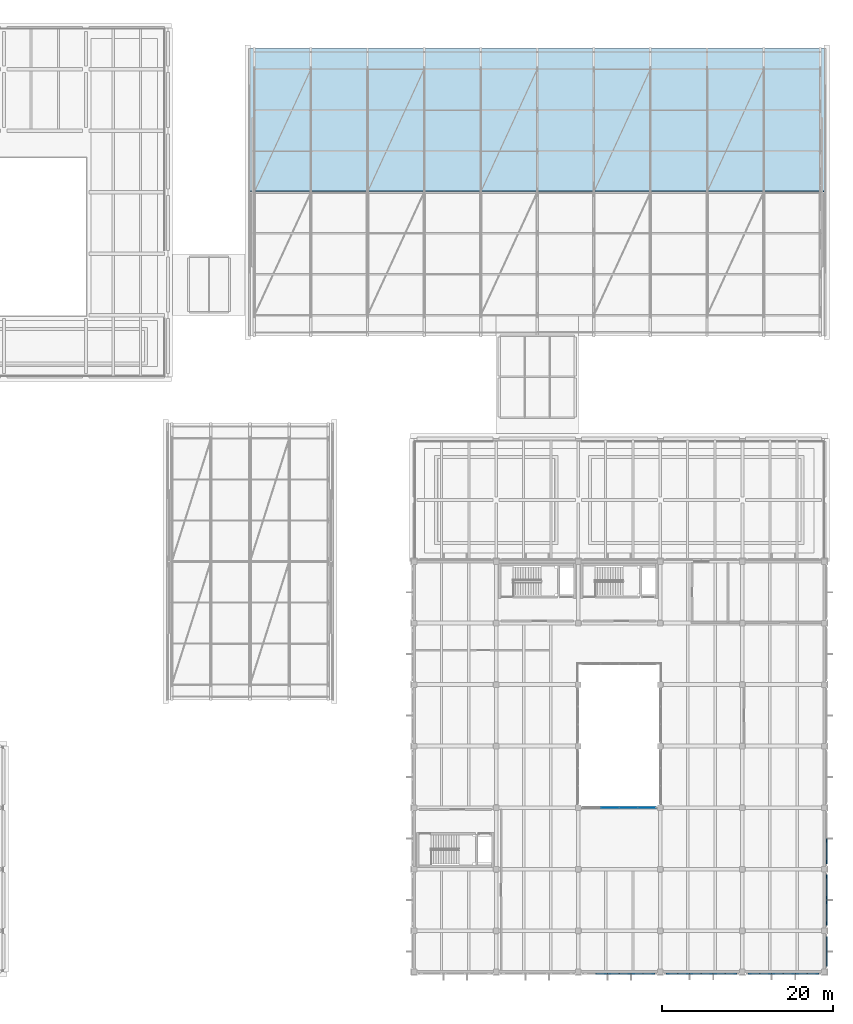
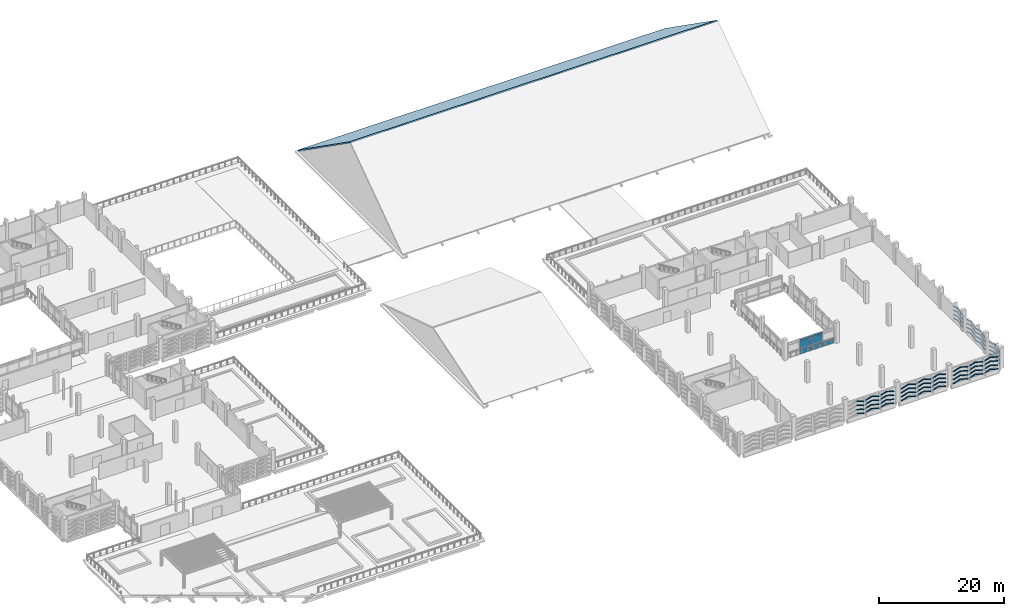
# One storey, part 104 of 134: 107 plates, 1 slab, 1 element without a shape of its own.
"""IFC4 building model written with IfcOpenShell, lengths in metres."""

from ifc_helpers import new_model, si_unit, direction, frame, origin, origin_2d, place, context, subcontext, project, spatial, polyline, rectangle, hollow_rectangle, outline, extrude, material, layer, layer_set, material_profile, profile_set, type_object, element, aggregate, save


model = new_model("IFC4")

# Units and contexts
model_context = context("Model", 3, precision=1e-05, world=origin(), true_north=direction((0.0, 1.0)))
body_context = subcontext(model_context, "Body", "Model", "MODEL_VIEW")
ifc_project = project(units=[si_unit("LENGTHUNIT", "METRE"), si_unit("AREAUNIT", "SQUARE_METRE"), si_unit("VOLUMEUNIT", "CUBIC_METRE"), si_unit("PLANEANGLEUNIT", "RADIAN"), si_unit("MASSUNIT", "GRAM", prefix="KILO")], contexts=[model_context])

# Site, building, storey
site_placement = place(None, origin())
site = spatial("IfcSite", under=ifc_project, at=site_placement, CompositionType="ELEMENT")
building_placement = place(site_placement, origin())
building = spatial("IfcBuilding", under=site, at=building_placement, Name="Asteropetra Specialist Clinic", CompositionType="ELEMENT")
storey_placement = place(building_placement, frame((0.0, 0.0, 8.5)))
storey = spatial("IfcBuildingStorey", under=building, at=storey_placement, Name="L02", CompositionType="ELEMENT", Elevation=8.5)

# Plates
ifc_material_1 = material(Name="Chevron emerald aluminium 6063-T6", Category="aluminium")
ifc_material_profile = material_profile(ifc_material_1, hollow_rectangle(XDim=0.179931640625, YDim=0.179931640625, WallThickness=0.010009765625, InnerFilletRadius=0.008056640625, OuterFilletRadius=0.01611328125, at=origin_2d()), Name="SHS 180x180x10.0")
ifc_profile_set = profile_set([ifc_material_profile], Name="Chevron emerald aluminium 6063-T6")
plate_type_1 = type_object("IfcPlateType", Name="CHV-RIB-180", PredefinedType="SHEET", material=ifc_profile_set)
for number, where, z_axis, x_axis, name in (
    (1, (126.830078125, -0.239501953125, 0.48681640625), (0.952430080856, 0.0, -0.304757183805), (0.0, 1.0, 0.0), "Chevron Facade Screen Fin CVR-2561"),
    (2, (126.830078125, -0.239501953125, 1.256591796875), (0.952479516829, 0.0, -0.304602642835), (0.0, 1.0, 0.0), "Chevron Facade Screen Fin CVR-2563"),
    (3, (126.830078125, -0.239501953125, 2.056640625), (0.952479516829, 0.0, -0.304602642835), (0.0, 1.0, 0.0), "Chevron Facade Screen Fin CVR-2565"),
    (4, (126.830078125, -0.239501953125, 2.836669921875), (0.952430080856, 0.0, -0.304757183805), (0.0, 1.0, 0.0), "Chevron Facade Screen Fin CVR-2567"),
    (5, (128.235107421875, -0.239501953125, 0.050048828125), (0.952430080856, 0.0, 0.304757183805), (0.0, 1.0, 0.0), "Chevron Facade Screen Fin CVR-2568"),
    (6, (129.60009765625, -0.239501953125, 0.48681640625), (0.952430080856, 0.0, -0.304757183805), (0.0, 1.0, 0.0), "Chevron Facade Screen Fin CVR-2569"),
    (7, (128.235107421875, -0.239501953125, 0.820068359375), (0.952479516829, 0.0, 0.304602642835), (0.0, 1.0, 0.0), "Chevron Facade Screen Fin CVR-2570"),
    (8, (129.60009765625, -0.239501953125, 1.256591796875), (0.952479516829, 0.0, -0.304602642835), (0.0, 1.0, 0.0), "Chevron Facade Screen Fin CVR-2571"),
    (9, (128.235107421875, -0.239501953125, 1.6201171875), (0.952479516829, 0.0, 0.304602642835), (0.0, 1.0, 0.0), "Chevron Facade Screen Fin CVR-2572"),
    (10, (129.60009765625, -0.239501953125, 2.056640625), (0.952479516829, 0.0, -0.304602642835), (0.0, 1.0, 0.0), "Chevron Facade Screen Fin CVR-2573"),
    (11, (128.235107421875, -0.239501953125, 2.39990234375), (0.952430080856, 0.0, 0.304757183805), (0.0, 1.0, 0.0), "Chevron Facade Screen Fin CVR-2574"),
    (12, (129.60009765625, -0.239501953125, 2.836669921875), (0.952430080856, 0.0, -0.304757183805), (0.0, 1.0, 0.0), "Chevron Facade Screen Fin CVR-2575"),
):
    element("IfcPlate", number, at=place(storey_placement, frame(where, z_axis=z_axis, x_axis=x_axis)), inside=storey, type_object=plate_type_1, Name=name, PredefinedType="SHEET", context=body_context, shape_type="SweptSolid", body=[
        extrude(hollow_rectangle(XDim=0.179931640625, YDim=0.179931640625, WallThickness=0.010009765625, InnerFilletRadius=0.008056640625, OuterFilletRadius=0.01611328125, at=origin_2d()), origin(), (0.0, 0.0, 1.0), 1.43310546875),
    ])
plate_1_placement = place(storey_placement, frame((131.0048828125, -0.239501953125, 0.050048828125), z_axis=(0.952445898647, 0.0, 0.304707745472), x_axis=(0.0, 1.0, 0.0)))
element("IfcPlate", 13, at=plate_1_placement, inside=storey, type_object=plate_type_1, Name="Chevron Facade Screen Fin CVR-2576", PredefinedType="SHEET", context=body_context, shape_type="SweptSolid", body=[
    extrude(hollow_rectangle(XDim=0.179931640625, YDim=0.179931640625, WallThickness=0.010009765625, InnerFilletRadius=0.008056640625, OuterFilletRadius=0.01611328125, at=origin_2d()), origin(), (0.0, 0.0, 1.0), 1.433349609375),
])
plate_2_placement = place(storey_placement, frame((132.3701171875, -0.239501953125, 0.48681640625), z_axis=(0.952430080856, 0.0, -0.304757183805), x_axis=(0.0, 1.0, 0.0)))
element("IfcPlate", 14, at=plate_2_placement, inside=storey, type_object=plate_type_1, Name="Chevron Facade Screen Fin CVR-2577", PredefinedType="SHEET", context=body_context, shape_type="SweptSolid", body=[
    extrude(hollow_rectangle(XDim=0.179931640625, YDim=0.179931640625, WallThickness=0.010009765625, InnerFilletRadius=0.008056640625, OuterFilletRadius=0.01611328125, at=origin_2d()), origin(), (0.0, 0.0, 1.0), 1.43310546875),
])
plate_3_placement = place(storey_placement, frame((131.0048828125, -0.239501953125, 0.820068359375), z_axis=(0.952495319401, 0.0, 0.304553224444), x_axis=(0.0, 1.0, 0.0)))
element("IfcPlate", 15, at=plate_3_placement, inside=storey, type_object=plate_type_1, Name="Chevron Facade Screen Fin CVR-2578", PredefinedType="SHEET", context=body_context, shape_type="SweptSolid", body=[
    extrude(hollow_rectangle(XDim=0.179931640625, YDim=0.179931640625, WallThickness=0.010009765625, InnerFilletRadius=0.008056640625, OuterFilletRadius=0.01611328125, at=origin_2d()), origin(), (0.0, 0.0, 1.0), 1.433349609375),
])
plate_4_placement = place(storey_placement, frame((132.3701171875, -0.239501953125, 1.256591796875), z_axis=(0.952479516829, 0.0, -0.304602642835), x_axis=(0.0, 1.0, 0.0)))
element("IfcPlate", 16, at=plate_4_placement, inside=storey, type_object=plate_type_1, Name="Chevron Facade Screen Fin CVR-2579", PredefinedType="SHEET", context=body_context, shape_type="SweptSolid", body=[
    extrude(hollow_rectangle(XDim=0.179931640625, YDim=0.179931640625, WallThickness=0.010009765625, InnerFilletRadius=0.008056640625, OuterFilletRadius=0.01611328125, at=origin_2d()), origin(), (0.0, 0.0, 1.0), 1.43310546875),
])
plate_5_placement = place(storey_placement, frame((131.0048828125, -0.239501953125, 1.6201171875), z_axis=(0.952495319401, 0.0, 0.304553224444), x_axis=(0.0, 1.0, 0.0)))
element("IfcPlate", 17, at=plate_5_placement, inside=storey, type_object=plate_type_1, Name="Chevron Facade Screen Fin CVR-2580", PredefinedType="SHEET", context=body_context, shape_type="SweptSolid", body=[
    extrude(hollow_rectangle(XDim=0.179931640625, YDim=0.179931640625, WallThickness=0.010009765625, InnerFilletRadius=0.008056640625, OuterFilletRadius=0.01611328125, at=origin_2d()), origin(), (0.0, 0.0, 1.0), 1.433349609375),
])
plate_6_placement = place(storey_placement, frame((132.3701171875, -0.239501953125, 2.056640625), z_axis=(0.952479516829, 0.0, -0.304602642835), x_axis=(0.0, 1.0, 0.0)))
element("IfcPlate", 18, at=plate_6_placement, inside=storey, type_object=plate_type_1, Name="Chevron Facade Screen Fin CVR-2581", PredefinedType="SHEET", context=body_context, shape_type="SweptSolid", body=[
    extrude(hollow_rectangle(XDim=0.179931640625, YDim=0.179931640625, WallThickness=0.010009765625, InnerFilletRadius=0.008056640625, OuterFilletRadius=0.01611328125, at=origin_2d()), origin(), (0.0, 0.0, 1.0), 1.43310546875),
])
plate_7_placement = place(storey_placement, frame((131.0048828125, -0.239501953125, 2.39990234375), z_axis=(0.952445898647, 0.0, 0.304707745472), x_axis=(0.0, 1.0, 0.0)))
element("IfcPlate", 19, at=plate_7_placement, inside=storey, type_object=plate_type_1, Name="Chevron Facade Screen Fin CVR-2582", PredefinedType="SHEET", context=body_context, shape_type="SweptSolid", body=[
    extrude(hollow_rectangle(XDim=0.179931640625, YDim=0.179931640625, WallThickness=0.010009765625, InnerFilletRadius=0.008056640625, OuterFilletRadius=0.01611328125, at=origin_2d()), origin(), (0.0, 0.0, 1.0), 1.433349609375),
])
for number, where, z_axis, x_axis, name in (
    (20, (132.3701171875, -0.239501953125, 2.836669921875), (0.952430080856, 0.0, -0.304757183805), (0.0, 1.0, 0.0), "Chevron Facade Screen Fin CVR-2583"),
    (21, (135.06494140625, -0.239501953125, 0.050048828125), (0.952430080856, 0.0, 0.304757183805), (0.0, 1.0, 0.0), "Chevron Facade Screen Fin CVR-2608"),
    (22, (136.429931640625, -0.239501953125, 0.48681640625), (0.952430080856, 0.0, -0.304757183805), (0.0, 1.0, 0.0), "Chevron Facade Screen Fin CVR-2609"),
    (23, (135.06494140625, -0.239501953125, 0.820068359375), (0.952479516829, 0.0, 0.304602642835), (0.0, 1.0, 0.0), "Chevron Facade Screen Fin CVR-2610"),
    (24, (136.429931640625, -0.239501953125, 1.256591796875), (0.952479516829, 0.0, -0.304602642835), (0.0, 1.0, 0.0), "Chevron Facade Screen Fin CVR-2611"),
    (25, (135.06494140625, -0.239501953125, 1.6201171875), (0.952479516829, 0.0, 0.304602642835), (0.0, 1.0, 0.0), "Chevron Facade Screen Fin CVR-2612"),
    (26, (136.429931640625, -0.239501953125, 2.056640625), (0.952479516829, 0.0, -0.304602642835), (0.0, 1.0, 0.0), "Chevron Facade Screen Fin CVR-2613"),
    (27, (135.06494140625, -0.239501953125, 2.39990234375), (0.952430080856, 0.0, 0.304757183805), (0.0, 1.0, 0.0), "Chevron Facade Screen Fin CVR-2614"),
    (28, (136.429931640625, -0.239501953125, 2.836669921875), (0.952430080856, 0.0, -0.304757183805), (0.0, 1.0, 0.0), "Chevron Facade Screen Fin CVR-2615"),
    (29, (137.8349609375, -0.239501953125, 0.050048828125), (0.952430080856, 0.0, 0.304757183805), (0.0, 1.0, 0.0), "Chevron Facade Screen Fin CVR-2616"),
    (30, (139.199951171875, -0.239501953125, 0.48681640625), (0.952430080856, 0.0, -0.304757183805), (0.0, 1.0, 0.0), "Chevron Facade Screen Fin CVR-2617"),
    (31, (137.8349609375, -0.239501953125, 0.820068359375), (0.952479516829, 0.0, 0.304602642835), (0.0, 1.0, 0.0), "Chevron Facade Screen Fin CVR-2618"),
    (32, (139.199951171875, -0.239501953125, 1.256591796875), (0.952479516829, 0.0, -0.304602642835), (0.0, 1.0, 0.0), "Chevron Facade Screen Fin CVR-2619"),
    (33, (137.8349609375, -0.239501953125, 1.6201171875), (0.952479516829, 0.0, 0.304602642835), (0.0, 1.0, 0.0), "Chevron Facade Screen Fin CVR-2620"),
    (34, (139.199951171875, -0.239501953125, 2.056640625), (0.952479516829, 0.0, -0.304602642835), (0.0, 1.0, 0.0), "Chevron Facade Screen Fin CVR-2621"),
    (35, (137.8349609375, -0.239501953125, 2.39990234375), (0.952430080856, 0.0, 0.304757183805), (0.0, 1.0, 0.0), "Chevron Facade Screen Fin CVR-2622"),
    (36, (139.199951171875, -0.239501953125, 2.836669921875), (0.952430080856, 0.0, -0.304757183805), (0.0, 1.0, 0.0), "Chevron Facade Screen Fin CVR-2623"),
    (37, (140.60498046875, -0.239501953125, 0.050048828125), (0.952430080856, 0.0, 0.304757183805), (0.0, 1.0, 0.0), "Chevron Facade Screen Fin CVR-2624"),
    (38, (141.969970703125, -0.239501953125, 0.48681640625), (0.952430080856, 0.0, -0.304757183805), (0.0, 1.0, 0.0), "Chevron Facade Screen Fin CVR-2625"),
    (39, (140.60498046875, -0.239501953125, 0.820068359375), (0.952479516829, 0.0, 0.304602642835), (0.0, 1.0, 0.0), "Chevron Facade Screen Fin CVR-2626"),
    (40, (141.969970703125, -0.239501953125, 1.256591796875), (0.952479516829, 0.0, -0.304602642835), (0.0, 1.0, 0.0), "Chevron Facade Screen Fin CVR-2627"),
    (41, (140.60498046875, -0.239501953125, 1.6201171875), (0.952479516829, 0.0, 0.304602642835), (0.0, 1.0, 0.0), "Chevron Facade Screen Fin CVR-2628"),
    (42, (141.969970703125, -0.239501953125, 2.056640625), (0.952479516829, 0.0, -0.304602642835), (0.0, 1.0, 0.0), "Chevron Facade Screen Fin CVR-2629"),
    (43, (140.60498046875, -0.239501953125, 2.39990234375), (0.952430080856, 0.0, 0.304757183805), (0.0, 1.0, 0.0), "Chevron Facade Screen Fin CVR-2630"),
    (44, (141.969970703125, -0.239501953125, 2.836669921875), (0.952430080856, 0.0, -0.304757183805), (0.0, 1.0, 0.0), "Chevron Facade Screen Fin CVR-2631"),
    (45, (144.6650390625, -0.239501953125, 0.050048828125), (0.952430080856, 0.0, 0.304757183805), (0.0, 1.0, 0.0), "Chevron Facade Screen Fin CVR-2638"),
    (46, (146.030029296875, -0.239501953125, 0.48681640625), (0.952430080856, 0.0, -0.304757183805), (0.0, 1.0, 0.0), "Chevron Facade Screen Fin CVR-2639"),
    (47, (144.6650390625, -0.239501953125, 0.820068359375), (0.952479516829, 0.0, 0.304602642835), (0.0, 1.0, 0.0), "Chevron Facade Screen Fin CVR-2640"),
    (48, (146.030029296875, -0.239501953125, 1.256591796875), (0.952479516829, 0.0, -0.304602642835), (0.0, 1.0, 0.0), "Chevron Facade Screen Fin CVR-2641"),
    (49, (144.6650390625, -0.239501953125, 1.6201171875), (0.952479516829, 0.0, 0.304602642835), (0.0, 1.0, 0.0), "Chevron Facade Screen Fin CVR-2642"),
    (50, (146.030029296875, -0.239501953125, 2.056640625), (0.952479516829, 0.0, -0.304602642835), (0.0, 1.0, 0.0), "Chevron Facade Screen Fin CVR-2643"),
    (51, (144.6650390625, -0.239501953125, 2.39990234375), (0.952430080856, 0.0, 0.304757183805), (0.0, 1.0, 0.0), "Chevron Facade Screen Fin CVR-2644"),
    (52, (146.030029296875, -0.239501953125, 2.836669921875), (0.952430080856, 0.0, -0.304757183805), (0.0, 1.0, 0.0), "Chevron Facade Screen Fin CVR-2645"),
    (53, (147.43505859375, -0.239501953125, 0.050048828125), (0.952430080856, 0.0, 0.304757183805), (0.0, 1.0, 0.0), "Chevron Facade Screen Fin CVR-2646"),
    (54, (148.800048828125, -0.239501953125, 0.48681640625), (0.952430080856, 0.0, -0.304757183805), (0.0, 1.0, 0.0), "Chevron Facade Screen Fin CVR-2647"),
    (55, (147.43505859375, -0.239501953125, 0.820068359375), (0.952479516829, 0.0, 0.304602642835), (0.0, 1.0, 0.0), "Chevron Facade Screen Fin CVR-2648"),
    (56, (148.800048828125, -0.239501953125, 1.256591796875), (0.952479516829, 0.0, -0.304602642835), (0.0, 1.0, 0.0), "Chevron Facade Screen Fin CVR-2649"),
    (57, (147.43505859375, -0.239501953125, 1.6201171875), (0.952479516829, 0.0, 0.304602642835), (0.0, 1.0, 0.0), "Chevron Facade Screen Fin CVR-2650"),
    (58, (148.800048828125, -0.239501953125, 2.056640625), (0.952479516829, 0.0, -0.304602642835), (0.0, 1.0, 0.0), "Chevron Facade Screen Fin CVR-2651"),
    (59, (147.43505859375, -0.239501953125, 2.39990234375), (0.952430080856, 0.0, 0.304757183805), (0.0, 1.0, 0.0), "Chevron Facade Screen Fin CVR-2652"),
    (60, (148.800048828125, -0.239501953125, 2.836669921875), (0.952430080856, 0.0, -0.304757183805), (0.0, 1.0, 0.0), "Chevron Facade Screen Fin CVR-2653"),
    (61, (150.205078125, -0.239501953125, 0.050048828125), (0.952430080856, 0.0, 0.304757183805), (0.0, 1.0, 0.0), "Chevron Facade Screen Fin CVR-2654"),
    (62, (151.570068359375, -0.239501953125, 0.48681640625), (0.952430080856, 0.0, -0.304757183805), (0.0, 1.0, 0.0), "Chevron Facade Screen Fin CVR-2655"),
    (63, (150.205078125, -0.239501953125, 0.820068359375), (0.952479516829, 0.0, 0.304602642835), (0.0, 1.0, 0.0), "Chevron Facade Screen Fin CVR-2656"),
    (64, (151.570068359375, -0.239501953125, 1.256591796875), (0.952479516829, 0.0, -0.304602642835), (0.0, 1.0, 0.0), "Chevron Facade Screen Fin CVR-2657"),
    (65, (150.205078125, -0.239501953125, 1.6201171875), (0.952479516829, 0.0, 0.304602642835), (0.0, 1.0, 0.0), "Chevron Facade Screen Fin CVR-2658"),
    (66, (151.570068359375, -0.239501953125, 2.056640625), (0.952479516829, 0.0, -0.304602642835), (0.0, 1.0, 0.0), "Chevron Facade Screen Fin CVR-2659"),
    (67, (150.205078125, -0.239501953125, 2.39990234375), (0.952430080856, 0.0, 0.304757183805), (0.0, 1.0, 0.0), "Chevron Facade Screen Fin CVR-2660"),
    (68, (151.570068359375, -0.239501953125, 2.836669921875), (0.952430080856, 0.0, -0.304757183805), (0.0, 1.0, 0.0), "Chevron Facade Screen Fin CVR-2661"),
):
    element("IfcPlate", number, at=place(storey_placement, frame(where, z_axis=z_axis, x_axis=x_axis)), inside=storey, type_object=plate_type_1, Name=name, PredefinedType="SHEET", context=body_context, shape_type="SweptSolid", body=[
        extrude(hollow_rectangle(XDim=0.179931640625, YDim=0.179931640625, WallThickness=0.010009765625, InnerFilletRadius=0.008056640625, OuterFilletRadius=0.01611328125, at=origin_2d()), origin(), (0.0, 0.0, 1.0), 1.43310546875),
    ])
plate_8_placement = place(storey_placement, frame((153.839599609375, 0.6650390625, 0.050048828125), z_axis=(0.0, 0.952731894766, 0.303812337959), x_axis=(-1.0, 0.0, 0.0)))
element("IfcPlate", 69, at=plate_8_placement, inside=storey, type_object=plate_type_1, Name="Chevron Facade Screen Fin CVR-2694", PredefinedType="SHEET", context=body_context, shape_type="SweptSolid", body=[
    extrude(hollow_rectangle(XDim=0.179931640625, YDim=0.179931640625, WallThickness=0.010009765625, InnerFilletRadius=0.008056640625, OuterFilletRadius=0.01611328125, at=origin_2d()), origin(), (0.0, 0.0, 1.0), 1.821044921875),
])
plate_9_placement = place(storey_placement, frame((153.839599609375, 2.39990234375, 0.603271484375), z_axis=(0.0, 0.952744267711, -0.303773534633), x_axis=(-1.0, 0.0, 0.0)))
element("IfcPlate", 70, at=plate_9_placement, inside=storey, type_object=plate_type_1, Name="Chevron Facade Screen Fin CVR-2695", PredefinedType="SHEET", context=body_context, shape_type="SweptSolid", body=[
    extrude(hollow_rectangle(XDim=0.179931640625, YDim=0.179931640625, WallThickness=0.010009765625, InnerFilletRadius=0.008056640625, OuterFilletRadius=0.01611328125, at=origin_2d()), origin(), (0.0, 0.0, 1.0), 1.8212890625),
])
plate_10_placement = place(storey_placement, frame((153.839599609375, 0.6650390625, 0.820068359375), z_axis=(0.0, 0.952731894766, 0.303812337959), x_axis=(-1.0, 0.0, 0.0)))
element("IfcPlate", 71, at=plate_10_placement, inside=storey, type_object=plate_type_1, Name="Chevron Facade Screen Fin CVR-2696", PredefinedType="SHEET", context=body_context, shape_type="SweptSolid", body=[
    extrude(hollow_rectangle(XDim=0.179931640625, YDim=0.179931640625, WallThickness=0.010009765625, InnerFilletRadius=0.008056640625, OuterFilletRadius=0.01611328125, at=origin_2d()), origin(), (0.0, 0.0, 1.0), 1.821044921875),
])
plate_11_placement = place(storey_placement, frame((153.839599609375, 2.39990234375, 1.373291015625), z_axis=(0.0, 0.952744267711, -0.303773534633), x_axis=(-1.0, 0.0, 0.0)))
element("IfcPlate", 72, at=plate_11_placement, inside=storey, type_object=plate_type_1, Name="Chevron Facade Screen Fin CVR-2697", PredefinedType="SHEET", context=body_context, shape_type="SweptSolid", body=[
    extrude(hollow_rectangle(XDim=0.179931640625, YDim=0.179931640625, WallThickness=0.010009765625, InnerFilletRadius=0.008056640625, OuterFilletRadius=0.01611328125, at=origin_2d()), origin(), (0.0, 0.0, 1.0), 1.8212890625),
])
plate_12_placement = place(storey_placement, frame((153.839599609375, 0.6650390625, 1.6201171875), z_axis=(0.0, 0.952731894766, 0.303812337959), x_axis=(-1.0, 0.0, 0.0)))
element("IfcPlate", 73, at=plate_12_placement, inside=storey, type_object=plate_type_1, Name="Chevron Facade Screen Fin CVR-2698", PredefinedType="SHEET", context=body_context, shape_type="SweptSolid", body=[
    extrude(hollow_rectangle(XDim=0.179931640625, YDim=0.179931640625, WallThickness=0.010009765625, InnerFilletRadius=0.008056640625, OuterFilletRadius=0.01611328125, at=origin_2d()), origin(), (0.0, 0.0, 1.0), 1.821044921875),
])
plate_13_placement = place(storey_placement, frame((153.839599609375, 2.39990234375, 2.17333984375), z_axis=(0.0, 0.952744267711, -0.303773534633), x_axis=(-1.0, 0.0, 0.0)))
element("IfcPlate", 74, at=plate_13_placement, inside=storey, type_object=plate_type_1, Name="Chevron Facade Screen Fin CVR-2699", PredefinedType="SHEET", context=body_context, shape_type="SweptSolid", body=[
    extrude(hollow_rectangle(XDim=0.179931640625, YDim=0.179931640625, WallThickness=0.010009765625, InnerFilletRadius=0.008056640625, OuterFilletRadius=0.01611328125, at=origin_2d()), origin(), (0.0, 0.0, 1.0), 1.8212890625),
])
plate_14_placement = place(storey_placement, frame((153.839599609375, 0.6650390625, 2.39990234375), z_axis=(0.0, 0.952693080543, 0.303934029495), x_axis=(-1.0, 0.0, 0.0)))
element("IfcPlate", 75, at=plate_14_placement, inside=storey, type_object=plate_type_1, Name="Chevron Facade Screen Fin CVR-2700", PredefinedType="SHEET", context=body_context, shape_type="SweptSolid", body=[
    extrude(hollow_rectangle(XDim=0.179931640625, YDim=0.179931640625, WallThickness=0.010009765625, InnerFilletRadius=0.008056640625, OuterFilletRadius=0.01611328125, at=origin_2d()), origin(), (0.0, 0.0, 1.0), 1.821044921875),
])
plate_15_placement = place(storey_placement, frame((153.839599609375, 2.39990234375, 2.953369140625), z_axis=(0.0, 0.952705462899, -0.303895213788), x_axis=(-1.0, 0.0, 0.0)))
element("IfcPlate", 76, at=plate_15_placement, inside=storey, type_object=plate_type_1, Name="Chevron Facade Screen Fin CVR-2701", PredefinedType="SHEET", context=body_context, shape_type="SweptSolid", body=[
    extrude(hollow_rectangle(XDim=0.179931640625, YDim=0.179931640625, WallThickness=0.010009765625, InnerFilletRadius=0.008056640625, OuterFilletRadius=0.01611328125, at=origin_2d()), origin(), (0.0, 0.0, 1.0), 1.8212890625),
])
for number, where, z_axis, x_axis, name in (
    (77, (153.839599609375, 5.465087890625, 0.050048828125), (0.0, 0.952535238788, 0.304428347673), (-1.0, 0.0, 0.0), "Chevron Facade Screen Fin CVR-2718"),
    (78, (153.839599609375, 6.922607421875, 0.515869140625), (0.0, 0.952520448524, -0.304474621509), (-1.0, 0.0, 0.0), "Chevron Facade Screen Fin CVR-2719"),
    (79, (153.839599609375, 5.465087890625, 0.820068359375), (0.0, 0.952535238788, 0.304428347673), (-1.0, 0.0, 0.0), "Chevron Facade Screen Fin CVR-2720"),
    (80, (153.839599609375, 6.922607421875, 1.285888671875), (0.0, 0.952520448524, -0.304474621509), (-1.0, 0.0, 0.0), "Chevron Facade Screen Fin CVR-2721"),
    (81, (153.839599609375, 5.465087890625, 1.6201171875), (0.0, 0.952535238788, 0.304428347673), (-1.0, 0.0, 0.0), "Chevron Facade Screen Fin CVR-2722"),
    (82, (153.839599609375, 6.922607421875, 2.0859375), (0.0, 0.952520448524, -0.304474621509), (-1.0, 0.0, 0.0), "Chevron Facade Screen Fin CVR-2723"),
):
    element("IfcPlate", number, at=place(storey_placement, frame(where, z_axis=z_axis, x_axis=x_axis)), inside=storey, type_object=plate_type_1, Name=name, PredefinedType="SHEET", context=body_context, shape_type="SweptSolid", body=[
        extrude(hollow_rectangle(XDim=0.179931640625, YDim=0.179931640625, WallThickness=0.010009765625, InnerFilletRadius=0.008056640625, OuterFilletRadius=0.01611328125, at=origin_2d()), origin(), (0.0, 0.0, 1.0), 1.530029296875),
    ])
plate_16_placement = place(storey_placement, frame((153.839599609375, 5.465087890625, 2.39990234375), z_axis=(0.0, 0.952488962874, 0.304573103874), x_axis=(-1.0, 0.0, 0.0)))
element("IfcPlate", 83, at=plate_16_placement, inside=storey, type_object=plate_type_1, Name="Chevron Facade Screen Fin CVR-2724", PredefinedType="SHEET", context=body_context, shape_type="SweptSolid", body=[
    extrude(hollow_rectangle(XDim=0.179931640625, YDim=0.179931640625, WallThickness=0.010009765625, InnerFilletRadius=0.008056640625, OuterFilletRadius=0.01611328125, at=origin_2d()), origin(), (0.0, 0.0, 1.0), 1.5302734375),
])
for number, where, z_axis, x_axis, name in (
    (84, (153.839599609375, 6.922607421875, 2.865966796875), (0.0, 0.952474159261, -0.304619395213), (-1.0, 0.0, 0.0), "Chevron Facade Screen Fin CVR-2725"),
    (85, (153.839599609375, 8.419921875, 0.050048828125), (0.0, 0.952535238788, 0.304428347673), (-1.0, 0.0, 0.0), "Chevron Facade Screen Fin CVR-2726"),
    (86, (153.839599609375, 9.87744140625, 0.515869140625), (0.0, 0.952535238788, -0.304428347673), (-1.0, 0.0, 0.0), "Chevron Facade Screen Fin CVR-2727"),
    (87, (153.839599609375, 8.419921875, 0.820068359375), (0.0, 0.952535238788, 0.304428347673), (-1.0, 0.0, 0.0), "Chevron Facade Screen Fin CVR-2728"),
    (88, (153.839599609375, 9.87744140625, 1.285888671875), (0.0, 0.952535238788, -0.304428347673), (-1.0, 0.0, 0.0), "Chevron Facade Screen Fin CVR-2729"),
    (89, (153.839599609375, 8.419921875, 1.6201171875), (0.0, 0.952535238788, 0.304428347673), (-1.0, 0.0, 0.0), "Chevron Facade Screen Fin CVR-2730"),
    (90, (153.839599609375, 9.87744140625, 2.0859375), (0.0, 0.952535238788, -0.304428347673), (-1.0, 0.0, 0.0), "Chevron Facade Screen Fin CVR-2731"),
):
    element("IfcPlate", number, at=place(storey_placement, frame(where, z_axis=z_axis, x_axis=x_axis)), inside=storey, type_object=plate_type_1, Name=name, PredefinedType="SHEET", context=body_context, shape_type="SweptSolid", body=[
        extrude(hollow_rectangle(XDim=0.179931640625, YDim=0.179931640625, WallThickness=0.010009765625, InnerFilletRadius=0.008056640625, OuterFilletRadius=0.01611328125, at=origin_2d()), origin(), (0.0, 0.0, 1.0), 1.530029296875),
    ])
for number, where, z_axis, x_axis, name in (
    (91, (153.839599609375, 8.419921875, 2.39990234375), (0.0, 0.952488962874, 0.304573103874), (-1.0, 0.0, 0.0), "Chevron Facade Screen Fin CVR-2732"),
    (92, (153.839599609375, 9.87744140625, 2.865966796875), (0.0, 0.952488962874, -0.304573103874), (-1.0, 0.0, 0.0), "Chevron Facade Screen Fin CVR-2733"),
):
    element("IfcPlate", number, at=place(storey_placement, frame(where, z_axis=z_axis, x_axis=x_axis)), inside=storey, type_object=plate_type_1, Name=name, PredefinedType="SHEET", context=body_context, shape_type="SweptSolid", body=[
        extrude(hollow_rectangle(XDim=0.179931640625, YDim=0.179931640625, WallThickness=0.010009765625, InnerFilletRadius=0.008056640625, OuterFilletRadius=0.01611328125, at=origin_2d()), origin(), (0.0, 0.0, 1.0), 1.5302734375),
    ])
for number, where, z_axis, x_axis, name in (
    (93, (153.839599609375, 12.6650390625, 0.050048828125), (0.0, 0.952535238788, 0.304428347673), (-1.0, 0.0, 0.0), "Chevron Facade Screen Fin CVR-2750"),
    (94, (153.839599609375, 14.12255859375, 0.515869140625), (0.0, 0.952535238788, -0.304428347673), (-1.0, 0.0, 0.0), "Chevron Facade Screen Fin CVR-2751"),
    (95, (153.839599609375, 12.6650390625, 0.820068359375), (0.0, 0.952535238788, 0.304428347673), (-1.0, 0.0, 0.0), "Chevron Facade Screen Fin CVR-2752"),
    (96, (153.839599609375, 14.12255859375, 1.285888671875), (0.0, 0.952535238788, -0.304428347673), (-1.0, 0.0, 0.0), "Chevron Facade Screen Fin CVR-2753"),
    (97, (153.839599609375, 12.6650390625, 1.6201171875), (0.0, 0.952535238788, 0.304428347673), (-1.0, 0.0, 0.0), "Chevron Facade Screen Fin CVR-2754"),
    (98, (153.839599609375, 14.12255859375, 2.0859375), (0.0, 0.952535238788, -0.304428347673), (-1.0, 0.0, 0.0), "Chevron Facade Screen Fin CVR-2755"),
):
    element("IfcPlate", number, at=place(storey_placement, frame(where, z_axis=z_axis, x_axis=x_axis)), inside=storey, type_object=plate_type_1, Name=name, PredefinedType="SHEET", context=body_context, shape_type="SweptSolid", body=[
        extrude(hollow_rectangle(XDim=0.179931640625, YDim=0.179931640625, WallThickness=0.010009765625, InnerFilletRadius=0.008056640625, OuterFilletRadius=0.01611328125, at=origin_2d()), origin(), (0.0, 0.0, 1.0), 1.530029296875),
    ])
for number, where, z_axis, x_axis, name in (
    (99, (153.839599609375, 12.6650390625, 2.39990234375), (0.0, 0.952488962874, 0.304573103874), (-1.0, 0.0, 0.0), "Chevron Facade Screen Fin CVR-2756"),
    (100, (153.839599609375, 14.12255859375, 2.865966796875), (0.0, 0.952488962874, -0.304573103874), (-1.0, 0.0, 0.0), "Chevron Facade Screen Fin CVR-2757"),
):
    element("IfcPlate", number, at=place(storey_placement, frame(where, z_axis=z_axis, x_axis=x_axis)), inside=storey, type_object=plate_type_1, Name=name, PredefinedType="SHEET", context=body_context, shape_type="SweptSolid", body=[
        extrude(hollow_rectangle(XDim=0.179931640625, YDim=0.179931640625, WallThickness=0.010009765625, InnerFilletRadius=0.008056640625, OuterFilletRadius=0.01611328125, at=origin_2d()), origin(), (0.0, 0.0, 1.0), 1.5302734375),
    ])

# Curtain wall, plates
ifc_material_2 = material(Name="Aluminium and low-E glass", Category="aluminium")
ifc_layer_1 = layer(ifc_material_2, 0.14990234375)
ifc_layer_set_1 = layer_set([ifc_layer_1], Name="Aluminium and low-E glass")
curtain_wall_type = type_object("IfcCurtainWallType", Name="CW-SYS-08", PredefinedType="USERDEFINED", material=ifc_layer_set_1)
curtain_wall_placement = place(storey_placement, origin())
curtain_wall = element("IfcCurtainWall", 101, at=curtain_wall_placement, inside=storey, type_object=curtain_wall_type, Name="Curtain Wall CW-077", ObjectType="STICK GLAZED COLONNADE", PredefinedType="USERDEFINED")
ifc_material_3 = material(Name="Low-E acoustic double glazing", Category="glass")
ifc_layer_2 = layer(ifc_material_3, 0.031982421875)
ifc_layer_set_2 = layer_set([ifc_layer_2], Name="Low-E acoustic double glazing")
plate_type_2 = type_object("IfcPlateType", Name="CWP-GLZ-32", PredefinedType="CURTAIN_PANEL", material=ifc_layer_set_2)
plate_17_placement = place(storey_placement, frame((128.521240234375, 19.199951171875, 0.06005859375), z_axis=(0.0, 0.0, 1.0), x_axis=(1.0, 0.0, 0.0)))
plate_17 = element("IfcPlate", 102, at=plate_17_placement, type_object=plate_type_2, Name="CW-077 panel 2.1", PredefinedType="CURTAIN_PANEL", context=body_context, shape_type="SweptSolid", body=[
    extrude(rectangle(XDim=2.097412109375, YDim=0.031982421875, at=origin_2d()), origin(), (0.0, 0.0, 1.0), 0.81005859375),
])
plate_18_placement = place(storey_placement, frame((128.521240234375, 19.199951171875, 0.929931640625), z_axis=(0.0, 0.0, 1.0), x_axis=(1.0, 0.0, 0.0)))
plate_18 = element("IfcPlate", 103, at=plate_18_placement, type_object=plate_type_2, Name="CW-077 panel 2.2", PredefinedType="CURTAIN_PANEL", context=body_context, shape_type="SweptSolid", body=[
    extrude(rectangle(XDim=2.097412109375, YDim=0.031982421875, at=origin_2d()), origin(), (0.0, 0.0, 1.0), 1.60009765625),
])
plate_19_placement = place(storey_placement, frame((128.521240234375, 19.199951171875, 2.58984375), z_axis=(0.0, 0.0, 1.0), x_axis=(1.0, 0.0, 0.0)))
plate_19 = element("IfcPlate", 104, at=plate_19_placement, type_object=plate_type_2, Name="CW-077 panel 2.3", PredefinedType="CURTAIN_PANEL", context=body_context, shape_type="SweptSolid", body=[
    extrude(rectangle(XDim=2.097412109375, YDim=0.031982421875, at=origin_2d()), origin(), (0.0, 0.0, 1.0), 0.409912109375),
])
plate_20_placement = place(storey_placement, frame((130.6787109375, 19.199951171875, 0.06005859375), z_axis=(0.0, 0.0, 1.0), x_axis=(1.0, 0.0, 0.0)))
plate_20 = element("IfcPlate", 105, at=plate_20_placement, type_object=plate_type_2, Name="CW-077 panel 3.1", PredefinedType="CURTAIN_PANEL", context=body_context, shape_type="SweptSolid", body=[
    extrude(rectangle(XDim=2.097412109375, YDim=0.031982421875, at=origin_2d()), origin(), (0.0, 0.0, 1.0), 0.81005859375),
])
plate_21_placement = place(storey_placement, frame((130.6787109375, 19.199951171875, 0.929931640625), z_axis=(0.0, 0.0, 1.0), x_axis=(1.0, 0.0, 0.0)))
plate_21 = element("IfcPlate", 106, at=plate_21_placement, type_object=plate_type_2, Name="CW-077 panel 3.2", PredefinedType="CURTAIN_PANEL", context=body_context, shape_type="SweptSolid", body=[
    extrude(rectangle(XDim=2.097412109375, YDim=0.031982421875, at=origin_2d()), origin(), (0.0, 0.0, 1.0), 1.60009765625),
])
plate_22_placement = place(storey_placement, frame((130.6787109375, 19.199951171875, 2.58984375), z_axis=(0.0, 0.0, 1.0), x_axis=(1.0, 0.0, 0.0)))
plate_22 = element("IfcPlate", 107, at=plate_22_placement, type_object=plate_type_2, Name="CW-077 panel 3.3", PredefinedType="CURTAIN_PANEL", context=body_context, shape_type="SweptSolid", body=[
    extrude(rectangle(XDim=2.097412109375, YDim=0.031982421875, at=origin_2d()), origin(), (0.0, 0.0, 1.0), 0.409912109375),
])
plate_23_placement = place(storey_placement, frame((132.8212890625, 19.199951171875, 0.06005859375), z_axis=(0.0, 0.0, 1.0), x_axis=(1.0, 0.0, 0.0)))
plate_23 = element("IfcPlate", 108, at=plate_23_placement, type_object=plate_type_2, Name="CW-077 panel 4.1", PredefinedType="CURTAIN_PANEL", context=body_context, shape_type="SweptSolid", body=[
    extrude(rectangle(XDim=2.0673828125, YDim=0.031982421875, at=origin_2d()), origin(), (0.0, 0.0, 1.0), 0.81005859375),
])
aggregate(curtain_wall, [plate_17, plate_18, plate_19, plate_20, plate_21, plate_22, plate_23])

# Slab
ifc_material_4 = material(Name="Concrete C35/45", Category="concrete")
ifc_layer_3 = layer(ifc_material_4, 0.219970703125)
ifc_layer_set_3 = layer_set([ifc_layer_3], Name="Concrete C35/45")
slab_type = type_object("IfcSlabType", Name="SLB-ROOF-220", PredefinedType="ROOF", material=ifc_layer_set_3)
slab_placement = place(storey_placement, frame((86.050048828125, 91.340087890625, 12.324951171875), z_axis=(0.0, 0.575701450796, 0.817659977956), x_axis=(1.0, 0.0, 0.0)))
element("IfcSlab", 109, at=slab_placement, inside=storey, type_object=slab_type, Name="TRV1 Pitched Roof North Slope", PredefinedType="ROOF", context=body_context, shape_type="SweptSolid", body=[
    extrude(outline(polyline([(0.0, 0.0), (67.89990234375, 0.0), (67.89990234375, 20.3751101417724), (0.0, 20.3751101417724), (0.0, 0.0)])), origin(), (0.0, 0.0, -1.0), 0.219970703125),
])

save(model, "model.ifc")
